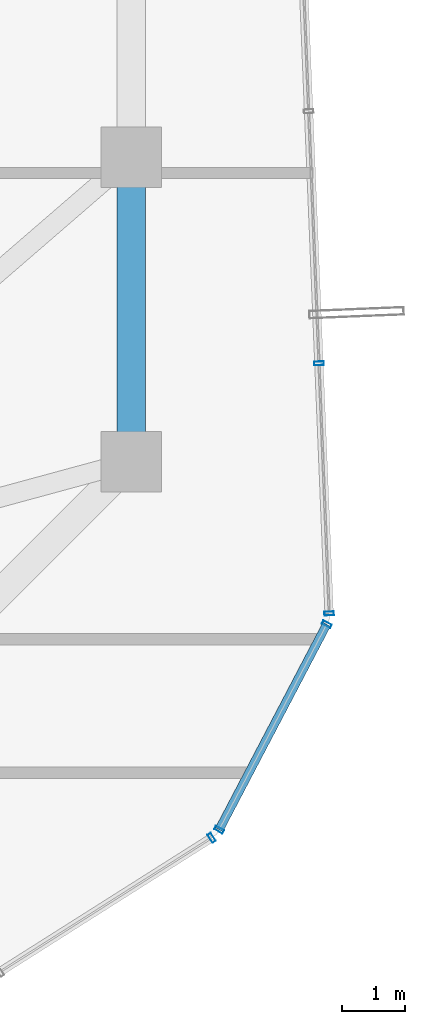
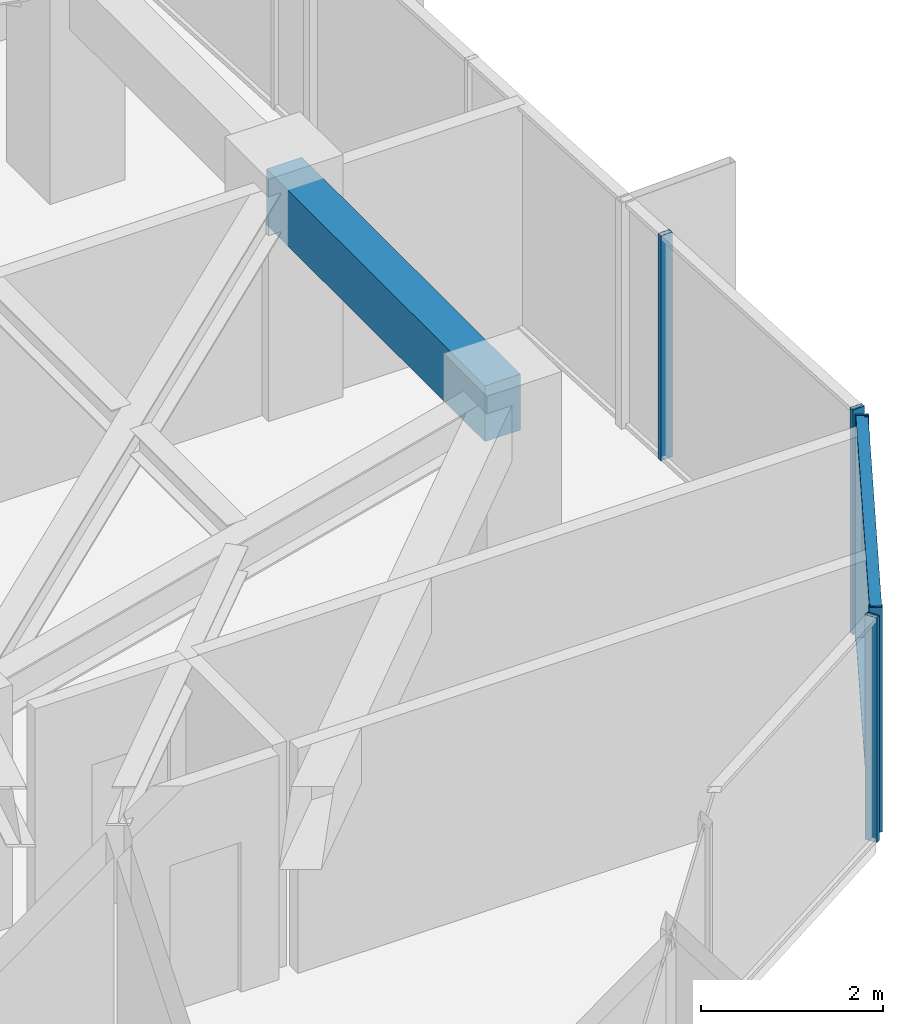
# One storey, part 18 of 33: 7 members, 1 beam, 3 elements without a shape of their own.
"""IFC4 building model written with IfcOpenShell, lengths in metres."""

import ifcopenshell
import ifcopenshell.guid

model = None  # the IFC model being written
_history = None  # IfcOwnerHistory: only IFC2X3 demands one
_inside = {}  # id of a spatial element -> (the spatial element, [elements in it])
_under = {}  # id of a project, library or spatial element -> (it, [spatial elements below it])
_declared = {}  # id of a project -> (the project, [libraries it declares])
_typed = {}  # id of a type object -> (the type object, [elements of that type])
_made_of = {}  # id of a material, layer set ... -> (it, [elements and type objects made of it])


def new_model(schema):
    """Start an empty IFC model of exactly this schema.

    Asked for "IFC4X3", IfcOpenShell would pick the latest addendum, in which some entities
    have other attributes; the version numbers below select the first issue.
    IFC2X3 requires an IfcOwnerHistory on every rooted entity: one is made here for all.
    """
    global model, _history
    if schema == "IFC4X3":
        model = ifcopenshell.file(schema_version=(4, 3, 0, 0))
    else:
        model = ifcopenshell.file(schema=schema)
    _inside.clear()
    _under.clear()
    _declared.clear()
    _typed.clear()
    _made_of.clear()
    _history = None
    if model.schema == "IFC2X3":
        org = make("IfcOrganization", Name="unknown")
        user = make(
            "IfcPersonAndOrganization",
            ThePerson=make("IfcPerson", FamilyName="unknown"),
            TheOrganization=org,
        )
        app = make(
            "IfcApplication",
            ApplicationDeveloper=org,
            Version="unknown",
            ApplicationFullName="unknown",
            ApplicationIdentifier="unknown",
        )
        _history = make(
            "IfcOwnerHistory",
            OwningUser=user,
            OwningApplication=app,
            ChangeAction="ADDED",
            CreationDate=0,
        )
    return model


def make(cls, **values):
    """One entity of the class cls with the attributes given. An attribute that is None is left unset."""
    return model.create_entity(
        cls, **{name: value for name, value in values.items() if value is not None}
    )


def rooted(cls, **values):
    """An entity with a GlobalId (a new one), such as an element, a storey or a relation."""
    return make(cls, GlobalId=ifcopenshell.guid.new(), OwnerHistory=_history, **values)


def si_unit(unit_type, name, prefix=None):
    """IfcSIUnit, for example si_unit("LENGTHUNIT", "METRE", prefix="MILLI")."""
    return make("IfcSIUnit", UnitType=unit_type, Prefix=prefix, Name=name)


def assignment(units):
    """IfcUnitAssignment: the units of a project."""
    return None if units is None else make("IfcUnitAssignment", Units=units)


def point(xyz):
    """IfcCartesianPoint."""
    return None if xyz is None else make("IfcCartesianPoint", Coordinates=xyz)


def direction(xyz):
    """IfcDirection."""
    return None if xyz is None else make("IfcDirection", DirectionRatios=xyz)


def frame(location, z_axis=None, x_axis=None):
    """IfcAxis2Placement3D, a coordinate frame: its origin and axes. An axis left out is left unset."""
    return make(
        "IfcAxis2Placement3D",
        Location=point(location),
        Axis=direction(z_axis),
        RefDirection=direction(x_axis),
    )


def frame_2d(location, x_axis=None):
    """IfcAxis2Placement2D, a coordinate frame in the plane: its origin and x axis."""
    return make(
        "IfcAxis2Placement2D", Location=point(location), RefDirection=direction(x_axis)
    )


def origin():
    """The frame at (0, 0, 0) with its axes left unset."""
    return frame((0.0, 0.0, 0.0))


def origin_2d():
    """The frame at (0, 0) in the plane with its x axis left unset."""
    return frame_2d((0.0, 0.0))


def place(relative_to, where):
    """IfcLocalPlacement: puts the frame where relative to a parent placement (None: the world)."""
    return make(
        "IfcLocalPlacement", PlacementRelTo=relative_to, RelativePlacement=where
    )


def context(
    kind, dimensions, precision=None, world=None, true_north=None, identifier=None
):
    """IfcGeometricRepresentationContext, for example the 3D "Model" context."""
    return make(
        "IfcGeometricRepresentationContext",
        ContextIdentifier=identifier,
        ContextType=kind,
        CoordinateSpaceDimension=dimensions,
        Precision=precision,
        WorldCoordinateSystem=world,
        TrueNorth=true_north,
    )


def subcontext(parent, identifier, kind, view, scale=None):
    """IfcGeometricRepresentationSubContext, for example "Body" below "Model"."""
    return make(
        "IfcGeometricRepresentationSubContext",
        ContextIdentifier=identifier,
        ContextType=kind,
        ParentContext=parent,
        TargetScale=scale,
        TargetView=view,
    )


def project(units=None, contexts=None):
    """IfcProject with its units and contexts."""
    return rooted(
        "IfcProject",
        Name="project",
        RepresentationContexts=contexts,
        UnitsInContext=assignment(units),
    )


def spatial(cls, under=None, at=None, **own):
    """A site, building, storey or space (cls), placed at a placement, below another one or the project."""
    s = rooted(cls, ObjectPlacement=at, **own)
    if under is not None:
        _under.setdefault(under.id(), (under, []))[1].append(s)
    return s


def profile(cls, at=None, kind="AREA", **sizes):
    """A parametric profile (cls). Its sizes go by their IFC names, for example OverallWidth=200.0."""
    return make(cls, ProfileType=kind, Position=at, **sizes)


def rectangle(**sizes):
    """IfcRectangleProfileDef."""
    return profile("IfcRectangleProfileDef", **sizes)


def hollow_rectangle(**sizes):
    """IfcRectangleHollowProfileDef."""
    return profile("IfcRectangleHollowProfileDef", **sizes)


def extrude(swept, where, along, depth):
    """IfcExtrudedAreaSolid: the profile swept, set in the frame where, extruded along a direction by depth."""
    return make(
        "IfcExtrudedAreaSolid",
        SweptArea=swept,
        Position=where,
        ExtrudedDirection=direction(along),
        Depth=depth,
    )


def shape(context_of_items, identifier, shape_type, items):
    """IfcShapeRepresentation: the items that make up one representation, for example the "Body"."""
    return make(
        "IfcShapeRepresentation",
        ContextOfItems=context_of_items,
        RepresentationIdentifier=identifier,
        RepresentationType=shape_type,
        Items=items,
    )


def source(mapping_origin, context_of_items, identifier, shape_type, items):
    """IfcRepresentationMap: a shape defined once, which mapped items show again and again."""
    return make(
        "IfcRepresentationMap",
        MappingOrigin=mapping_origin,
        MappedRepresentation=shape(context_of_items, identifier, shape_type, items),
    )


def transform(
    local_origin,
    x_axis=None,
    y_axis=None,
    z_axis=None,
    scale=None,
    scale2=None,
    scale3=None,
    uniform=True,
):
    """IfcCartesianTransformationOperator3D, or its non-uniform kind. x_axis, y_axis, z_axis: its Axis1, 2, 3."""
    if uniform:
        return make(
            "IfcCartesianTransformationOperator3D",
            Axis1=direction(x_axis),
            Axis2=direction(y_axis),
            LocalOrigin=point(local_origin),
            Scale=scale,
            Axis3=direction(z_axis),
        )
    return make(
        "IfcCartesianTransformationOperator3DnonUniform",
        Axis1=direction(x_axis),
        Axis2=direction(y_axis),
        LocalOrigin=point(local_origin),
        Scale=scale,
        Axis3=direction(z_axis),
        Scale2=scale2,
        Scale3=scale3,
    )


def mapped(mapping_source, mapping_target):
    """IfcMappedItem: shows the shape of a source again, moved by a transform."""
    return make(
        "IfcMappedItem", MappingSource=mapping_source, MappingTarget=mapping_target
    )


def material(Name=None, Category=None):
    """IfcMaterial."""
    return make("IfcMaterial", Name=Name, Category=Category)


def layer(
    of_material, thickness, ventilated=None, Name=None, Category=None, Priority=None
):
    """IfcMaterialLayer: one layer of a wall or slab, of a material (None: an air gap)."""
    return make(
        "IfcMaterialLayer",
        Material=of_material,
        LayerThickness=thickness,
        IsVentilated=ventilated,
        Name=Name,
        Category=Category,
        Priority=Priority,
    )


def layer_set(layers, Name=None):
    """IfcMaterialLayerSet."""
    return make("IfcMaterialLayerSet", MaterialLayers=layers, LayerSetName=Name)


def material_profile(
    of_material, cross_section, Name=None, Category=None, Priority=None
):
    """IfcMaterialProfile: a cross section and its material."""
    return make(
        "IfcMaterialProfile",
        Name=Name,
        Material=of_material,
        Profile=cross_section,
        Priority=Priority,
        Category=Category,
    )


def profile_set(profiles, Name=None, composite=None):
    """IfcMaterialProfileSet."""
    return make(
        "IfcMaterialProfileSet",
        Name=Name,
        MaterialProfiles=profiles,
        CompositeProfile=composite,
    )


def made_of(thing, what):
    """Note that an element or type object is made of a material, layer set ...; save() writes the relation."""
    if what is not None:
        _made_of.setdefault(what.id(), (what, []))[1].append(thing)
    return thing


def type_object(cls, material=None, **own):
    """A type object (cls), such as IfcWallType, which elements share."""
    return made_of(rooted(cls, **own), material)


def element(
    cls,
    number,
    at=None,
    inside=None,
    cuts=None,
    type_object=None,
    material=None,
    context=None,
    identifier="Body",
    shape_type=None,
    held_by="IfcProductDefinitionShape",
    body=None,
    shapes=None,
    **own,
):
    """One element of the class cls, such as IfcWall. Its Tag is "e" and its number.

    at: its placement. inside: the storey or other place that contains it. cuts: it is an
    opening in that element (IfcRelVoidsElement). A single representation is given by context,
    identifier, shape_type and body (its items); several are given by shapes. held_by: the class
    of the entity that holds the representations. save() writes the other relations.
    """
    e = rooted(cls, Tag="e%d" % number, ObjectPlacement=at, **own)
    if body is not None:
        shapes = [shape(context, identifier, shape_type, body)]
    if shapes is not None:
        e.Representation = make(held_by, Representations=shapes)
    if inside is not None:
        _inside.setdefault(inside.id(), (inside, []))[1].append(e)
    if cuts is not None:
        rooted(
            "IfcRelVoidsElement", RelatingBuildingElement=cuts, RelatedOpeningElement=e
        )
    if type_object is not None:
        _typed.setdefault(type_object.id(), (type_object, []))[1].append(e)
    return made_of(e, material)


def aggregate(whole, parts):
    """IfcRelAggregates: a whole, such as a stair, and the parts it consists of."""
    return rooted("IfcRelAggregates", RelatingObject=whole, RelatedObjects=parts)


def save(model, path):
    """Write the relations noted so far, then the file.

    IfcRelAggregates (storeys below a building ...), IfcRelContainedInSpatialStructure (elements
    in a storey), IfcRelDefinesByType, IfcRelAssociatesMaterial and IfcRelDeclares: one each for
    every whole, place, type object, material and project.
    """
    for whole, parts in _under.values():
        aggregate(whole, parts)
    for where, things in _inside.values():
        rooted(
            "IfcRelContainedInSpatialStructure",
            RelatedElements=things,
            RelatingStructure=where,
        )
    for kind, things in _typed.values():
        rooted("IfcRelDefinesByType", RelatedObjects=things, RelatingType=kind)
    for what, things in _made_of.values():
        rooted("IfcRelAssociatesMaterial", RelatedObjects=things, RelatingMaterial=what)
    for by, libraries in _declared.values():
        rooted("IfcRelDeclares", RelatingContext=by, RelatedDefinitions=libraries)
    model.write(path)


model = new_model("IFC4")

# Units and contexts
model_context = context("Model", 3, precision=1e-05, world=origin(), true_north=direction((0.0, 1.0)))
body_context = subcontext(model_context, "Body", "Model", "MODEL_VIEW")
ifc_project = project(units=[si_unit("LENGTHUNIT", "METRE"), si_unit("AREAUNIT", "SQUARE_METRE"), si_unit("VOLUMEUNIT", "CUBIC_METRE"), si_unit("PLANEANGLEUNIT", "RADIAN"), si_unit("MASSUNIT", "GRAM", prefix="KILO")], contexts=[model_context])

# Site, building, storey
site_placement = place(None, origin())
site = spatial("IfcSite", under=ifc_project, at=site_placement, CompositionType="ELEMENT")
building_placement = place(site_placement, origin())
building = spatial("IfcBuilding", under=site, at=building_placement, Name="Veraguas Prism Commons", CompositionType="ELEMENT")
storey_placement = place(building_placement, frame((0.0, 0.0, 198.35009765625)))
storey = spatial("IfcBuildingStorey", under=building, at=storey_placement, Name="L56", CompositionType="ELEMENT", Elevation=198.35009765625)

# Beam
ifc_material_1 = material(Name="Concrete C50/60", Category="concrete")
ifc_material_profile_1 = material_profile(ifc_material_1, rectangle(XDim=0.449951171875, YDim=0.75, at=origin_2d()), Name="RC450X750")
ifc_profile_set_1 = profile_set([ifc_material_profile_1], Name="Concrete C50/60")
beam_type = type_object("IfcBeamType", Name="Perimeter Spandrel Upper RC 450x750", PredefinedType="SPANDREL", material=ifc_profile_set_1)
beam_placement = place(storey_placement, frame((38.89990234375, 19.199951171875, 2.639892578125), z_axis=(0.0, 1.0, 0.0), x_axis=(-1.0, 0.0, 0.0)))
element("IfcBeam", 1, at=beam_placement, inside=storey, type_object=beam_type, Name="Perimeter Spandrel Beam L56-SP01", PredefinedType="SPANDREL", context=body_context, shape_type="SweptSolid", body=[
    extrude(rectangle(XDim=0.449951171875, YDim=0.75, at=origin_2d()), origin(), (0.0, 0.0, 1.0), 4.800048828125),
])

# Curtain wall, member
ifc_material_2 = material(Name="Anodised aluminium EN AW-6063 T6", Category="aluminium")
ifc_layer = layer(ifc_material_2, 0.14990234375, Name="Unitised Flush Curtain Wall Zone 3", Category="aluminium")
ifc_layer_set = layer_set([ifc_layer], Name="Anodised aluminium EN AW-6063 T6")
curtain_wall_type = type_object("IfcCurtainWallType", Name="Unitised Flush Curtain Wall Zone 3", PredefinedType="NOTDEFINED", material=ifc_layer_set)
curtain_wall_1_placement = place(storey_placement, origin())
curtain_wall_1 = element("IfcCurtainWall", 2, at=curtain_wall_1_placement, inside=storey, type_object=curtain_wall_type, Name="Tower Facade Curtain Wall L56-F5", PredefinedType="NOTDEFINED")
ifc_material_profile_2 = material_profile(ifc_material_2, hollow_rectangle(XDim=0.06005859375, YDim=0.14990234375, WallThickness=0.0029296875, at=origin_2d()), Name="AL60X150X3")
ifc_profile_set_2 = profile_set([ifc_material_profile_2], Name="Anodised aluminium EN AW-6063 T6")
member_type_1 = type_object("IfcMemberType", Name="Curtain Wall Mullion Upper AL 60x150x3", PredefinedType="MULLION", material=ifc_profile_set_2)
shared_shape_1 = source(origin(), body_context, "Body", "SweptSolid", [
    extrude(hollow_rectangle(XDim=0.06005859375, YDim=0.14990234375, WallThickness=0.0029296875, at=origin_2d()), origin(), (0.0, 0.0, 1.0), 3.014892578125),
])
member_1_placement = place(storey_placement, frame((40.16650390625, 13.274169921875, 0.0), z_axis=(0.0, 0.0, 1.0), x_axis=(0.844886711646, 0.534945272419, 0.0)))
member_1 = element("IfcMember", 3, at=member_1_placement, type_object=member_type_1, Name="CW-Z3 Mullion 5", PredefinedType="MULLION", context=body_context, shape_type="MappedRepresentation", body=[
    mapped(shared_shape_1, transform((0.0, 0.0, 0.0), scale=1.0)),
])
aggregate(curtain_wall_1, [member_1])

# Curtain wall, members
curtain_wall_2_placement = place(storey_placement, origin())
curtain_wall_2 = element("IfcCurtainWall", 4, at=curtain_wall_2_placement, inside=storey, type_object=curtain_wall_type, Name="Tower Facade Curtain Wall L56-F6", PredefinedType="NOTDEFINED")
member_2_placement = place(storey_placement, frame((42.018798828125, 16.80859375, 0.0), z_axis=(0.0, 0.0, 1.0), x_axis=(-0.040829351979, 0.999166134343, 0.0)))
member_2 = element("IfcMember", 5, at=member_2_placement, type_object=member_type_1, Name="CW-Z3 Mullion 1", PredefinedType="MULLION", context=body_context, shape_type="MappedRepresentation", body=[
    mapped(shared_shape_1, transform((0.0, 0.0, 0.0), scale=1.0)),
])
member_3_placement = place(storey_placement, frame((41.857666015625, 20.750732421875, 0.0), z_axis=(0.0, 0.0, 1.0), x_axis=(-0.040829351979, 0.999166134343, 0.0)))
member_3 = element("IfcMember", 6, at=member_3_placement, type_object=member_type_1, Name="CW-Z3 Mullion 2", PredefinedType="MULLION", context=body_context, shape_type="MappedRepresentation", body=[
    mapped(shared_shape_1, transform((0.0, 0.0, 0.0), scale=1.0)),
])
aggregate(curtain_wall_2, [member_2, member_3])

curtain_wall_3_placement = place(storey_placement, origin())
curtain_wall_3 = element("IfcCurtainWall", 7, at=curtain_wall_3_placement, inside=storey, type_object=curtain_wall_type, Name="Chamfer Curtain Wall L56-C6", PredefinedType="NOTDEFINED")
member_4_placement = place(storey_placement, frame((40.284423828125, 13.402099609375, 0.0), z_axis=(0.0, 0.0, 1.0), x_axis=(0.464189801669, 0.885735755193, 0.0)))
member_4 = element("IfcMember", 8, at=member_4_placement, type_object=member_type_1, Name="CW-Z3 Mullion 1", PredefinedType="MULLION", context=body_context, shape_type="MappedRepresentation", body=[
    mapped(shared_shape_1, transform((0.0, 0.0, 0.0), scale=1.0)),
])
member_5_placement = place(storey_placement, frame((41.980712890625, 16.638916015625, 0.0), z_axis=(0.0, 0.0, 1.0), x_axis=(0.464189801669, 0.885735755193, 0.0)))
member_5 = element("IfcMember", 9, at=member_5_placement, type_object=member_type_1, Name="CW-Z3 Mullion 2", PredefinedType="MULLION", context=body_context, shape_type="MappedRepresentation", body=[
    mapped(shared_shape_1, transform((0.0, 0.0, 0.0), scale=1.0)),
])
ifc_material_profile_3 = material_profile(ifc_material_2, hollow_rectangle(XDim=0.054931640625, YDim=0.135009765625, WallThickness=0.0029296875, at=origin_2d()), Name="AL55X135X3")
ifc_profile_set_3 = profile_set([ifc_material_profile_3], Name="Anodised aluminium EN AW-6063 T6")
member_type_2 = type_object("IfcMemberType", Name="Curtain Wall Transom Standard AL 55x135x3", PredefinedType="USERDEFINED", material=ifc_profile_set_3)
shared_shape_2 = source(origin(), body_context, "Body", "SweptSolid", [
    extrude(hollow_rectangle(XDim=0.054931640625, YDim=0.135009765625, WallThickness=0.0029296875, at=origin_2d()), origin(), (0.0, 0.0, 1.0), 3.654296875),
])
member_6_placement = place(storey_placement, frame((40.284423828125, 13.402099609375, 0.02734375), z_axis=(0.464181732451, 0.885739984001, 0.0), x_axis=(0.0, 0.0, 1.0)))
member_6 = element("IfcMember", 10, at=member_6_placement, type_object=member_type_2, Name="CW-Z3 Transom 1", ObjectType="TRANSOM", PredefinedType="USERDEFINED", context=body_context, shape_type="MappedRepresentation", body=[
    mapped(shared_shape_2, transform((0.0, 0.0, 0.0), scale=1.0)),
])
member_7_placement = place(storey_placement, frame((40.284423828125, 13.402099609375, 2.9873046875), z_axis=(0.464181732451, 0.885739984001, 0.0), x_axis=(0.0, 0.0, 1.0)))
member_7 = element("IfcMember", 11, at=member_7_placement, type_object=member_type_2, Name="CW-Z3 Transom 2", ObjectType="TRANSOM", PredefinedType="USERDEFINED", context=body_context, shape_type="MappedRepresentation", body=[
    mapped(shared_shape_2, transform((0.0, 0.0, 0.0), scale=1.0)),
])
aggregate(curtain_wall_3, [member_4, member_5, member_6, member_7])

save(model, "model.ifc")
